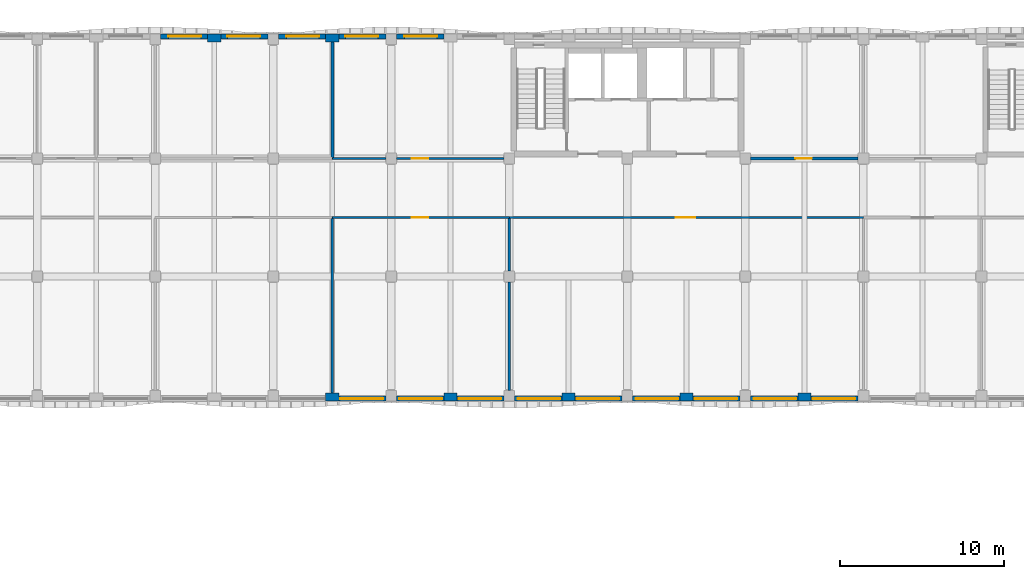
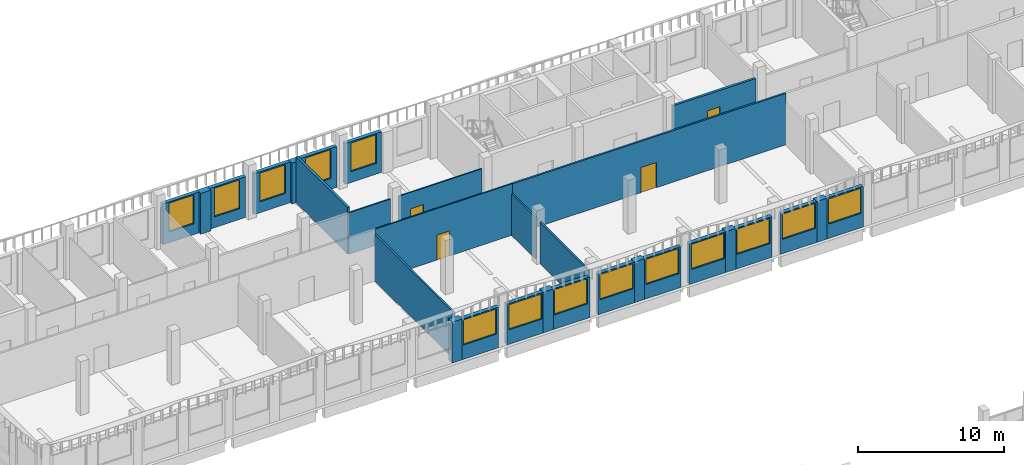
# One storey, part 28 of 58: 30 walls, 14 windows, 4 doors, 18 openings.
"""IFC4 building model written with IfcOpenShell, lengths in metres."""

from ifc_helpers import new_model, si_unit, direction, frame, frame_2d, origin, place, context, subcontext, project, spatial, rectangle, extrude, material, layer, layer_set, type_object, element, fill, save


model = new_model("IFC4")

# Units and contexts
model_context = context("Model", 3, precision=1e-05, world=origin(), true_north=direction((0.0, 1.0)))
body_context = subcontext(model_context, "Body", "Model", "MODEL_VIEW")
ifc_project = project(units=[si_unit("LENGTHUNIT", "METRE"), si_unit("AREAUNIT", "SQUARE_METRE"), si_unit("VOLUMEUNIT", "CUBIC_METRE"), si_unit("PLANEANGLEUNIT", "RADIAN"), si_unit("MASSUNIT", "GRAM", prefix="KILO")], contexts=[model_context])

# Site, building, storey
site_placement = place(None, origin())
site = spatial("IfcSite", under=ifc_project, at=site_placement, CompositionType="ELEMENT")
building_placement = place(site_placement, origin())
building = spatial("IfcBuilding", under=site, at=building_placement, Name="Ussher Court Research Institute", CompositionType="ELEMENT")
storey_placement = place(building_placement, frame((0.0, 0.0, 9.89990234375)))
storey = spatial("IfcBuildingStorey", under=building, at=storey_placement, Name="L02", CompositionType="ELEMENT", Elevation=9.89990234375)

# Wall, opening, door
ifc_material_1 = material(Name="Plasterboard on steel studs with mineral wool", Category="steel")
ifc_layer_1 = layer(ifc_material_1, 0.179931640625)
ifc_layer_set_1 = layer_set([ifc_layer_1], Name="Plasterboard on steel studs with mineral wool")
wall_type_1 = type_object("IfcWallType", Name="Acoustic twin-stud partition 180", PredefinedType="PARTITIONING", material=ifc_layer_set_1)
wall_1_placement = place(storey_placement, frame((60.925048828125, 83.199951171875, 0.0), z_axis=(0.0, 0.0, 1.0), x_axis=(1.0, 0.0, 0.0)))
wall_1 = element("IfcWall", 1, at=wall_1_placement, inside=storey, type_object=wall_type_1, Name="Partition", PredefinedType="PARTITIONING", context=body_context, shape_type="SweptSolid", body=[
    extrude(rectangle(XDim=6.550048828125, YDim=0.179931640625, at=frame_2d((3.27490234375, 0.0))), origin(), (0.0, 0.0, 1.0), 3.47021484375),
])
opening_1_placement = place(wall_1_placement, frame((2.72509765625, 0.0, 0.0)))
opening_1 = element("IfcOpeningElement", 2, at=opening_1_placement, cuts=wall_1, Name="Opening D02030", PredefinedType="OPENING", context=body_context, shape_type="SweptSolid", body=[
    extrude(rectangle(XDim=1.0, YDim=2.10009765625, at=frame_2d((0.5, 1.050048828125))), frame((0.0, 0.10009765625, 0.0), z_axis=(0.0, -1.0, 0.0), x_axis=(1.0, 0.0, 0.0)), (0.0, 0.0, 1.0), 0.199951171875),
])
ifc_material_2 = material(Name="Veneered timber door", Category="wood")
door_type_1 = type_object("IfcDoorType", Name="Meeting room door 1000x2100", OperationType="NOTDEFINED", PredefinedType="DOOR", material=ifc_material_2)
door_1_placement = place(opening_1_placement, origin())
door_1 = element("IfcDoor", 3, at=door_1_placement, inside=storey, type_object=door_type_1, Name="Door D02030", OperationType="SINGLE_SWING_LEFT", OverallHeight=2.10009765625, OverallWidth=1.0, PredefinedType="DOOR", context=body_context, shape_type="SweptSolid", body=[
    extrude(rectangle(XDim=1.0, YDim=2.10009765625, at=frame_2d((0.5, 1.050048828125))), frame((0.0, 0.02490234375, 0.0), z_axis=(0.0, -1.0, 0.0), x_axis=(1.0, 0.0, 0.0)), (0.0, 0.0, 1.0), 0.050048828125),
])
fill(opening_1, door_1)

# Wall
wall_2_placement = place(storey_placement, frame((35.39990234375, 83.25, 0.0), z_axis=(0.0, 0.0, 1.0), x_axis=(0.0, 1.0, 0.0)))
element("IfcWall", 4, at=wall_2_placement, inside=storey, type_object=wall_type_1, Name="Partition", PredefinedType="PARTITIONING", context=body_context, shape_type="SweptSolid", body=[
    extrude(rectangle(XDim=7.050048828125, YDim=0.179931640625, at=frame_2d((3.52490234375, 0.0))), origin(), (0.0, 0.0, 1.0), 3.8701171875),
])

# Wall, opening, window
ifc_material_3 = material(Name="Blockwork with cream render", Category="masonry")
ifc_layer_2 = layer(ifc_material_3, 0.300048828125)
ifc_layer_set_2 = layer_set([ifc_layer_2], Name="Blockwork with cream render")
wall_type_2 = type_object("IfcWallType", Name="External wall 300 cream render", PredefinedType="SOLIDWALL", material=ifc_layer_set_2)
wall_3_placement = place(storey_placement, frame((24.925048828125, 90.64990234375, 0.0), z_axis=(0.0, 0.0, 1.0), x_axis=(1.0, 0.0, 0.0)))
wall_3 = element("IfcWall", 5, at=wall_3_placement, inside=storey, type_object=wall_type_2, Name="External wall EW1 L02", PredefinedType="SOLIDWALL", context=body_context, shape_type="SweptSolid", body=[
    extrude(rectangle(XDim=2.875, YDim=0.300048828125, at=frame_2d((1.4375, 0.0))), origin(), (0.0, 0.0, 1.0), 3.400146484375),
])
opening_2_placement = place(wall_3_placement, frame((0.47509765625, 0.0, 0.89990234375)))
opening_2 = element("IfcOpeningElement", 6, at=opening_2_placement, cuts=wall_3, Name="Opening W14", PredefinedType="OPENING", context=body_context, shape_type="SweptSolid", body=[
    extrude(rectangle(XDim=2.0, YDim=2.39990234375, at=frame_2d((1.0, 1.199951171875))), frame((0.0, 0.16015625, 0.0), z_axis=(0.0, -1.0, 0.0), x_axis=(1.0, 0.0, 0.0)), (0.0, 0.0, 1.0), 0.320068359375),
])
ifc_material_4 = material(Name="Bronze anodised aluminium with double glazing", Category="aluminium")
window_type_1 = type_object("IfcWindowType", Name="Seminar and write-up office window 2000x2400", PartitioningType="DOUBLE_PANEL_VERTICAL", PredefinedType="WINDOW", material=ifc_material_4)
window_1_placement = place(opening_2_placement, origin())
window_1 = element("IfcWindow", 7, at=window_1_placement, inside=storey, type_object=window_type_1, Name="Window W14 L02", OverallHeight=2.39990234375, OverallWidth=2.0, PartitioningType="SINGLE_PANEL", PredefinedType="WINDOW", context=body_context, shape_type="SweptSolid", body=[
    extrude(rectangle(XDim=2.0, YDim=2.39990234375, at=frame_2d((1.0, 1.199951171875))), frame((0.0, 0.030029296875, 0.0), z_axis=(0.0, -1.0, 0.0), x_axis=(1.0, 0.0, 0.0)), (0.0, 0.0, 1.0), 0.06005859375),
])
fill(opening_2, window_1)

wall_4_placement = place(storey_placement, frame((28.60009765625, 90.64990234375, 0.0), z_axis=(0.0, 0.0, 1.0), x_axis=(1.0, 0.0, 0.0)))
wall_4 = element("IfcWall", 8, at=wall_4_placement, inside=storey, type_object=wall_type_2, Name="External wall EW1 L02", PredefinedType="SOLIDWALL", context=body_context, shape_type="SweptSolid", body=[
    extrude(rectangle(XDim=2.875, YDim=0.300048828125, at=frame_2d((1.4375, 0.0))), origin(), (0.0, 0.0, 1.0), 3.400146484375),
])
opening_3_placement = place(wall_4_placement, frame((0.39990234375, 0.0, 0.89990234375)))
opening_3 = element("IfcOpeningElement", 9, at=opening_3_placement, cuts=wall_4, Name="Opening W14", PredefinedType="OPENING", context=body_context, shape_type="SweptSolid", body=[
    extrude(rectangle(XDim=2.0, YDim=2.39990234375, at=frame_2d((1.0, 1.199951171875))), frame((0.0, 0.16015625, 0.0), z_axis=(0.0, -1.0, 0.0), x_axis=(1.0, 0.0, 0.0)), (0.0, 0.0, 1.0), 0.320068359375),
])
window_2_placement = place(opening_3_placement, origin())
window_2 = element("IfcWindow", 10, at=window_2_placement, inside=storey, type_object=window_type_1, Name="Window W14 L02", OverallHeight=2.39990234375, OverallWidth=2.0, PartitioningType="SINGLE_PANEL", PredefinedType="WINDOW", context=body_context, shape_type="SweptSolid", body=[
    extrude(rectangle(XDim=2.0, YDim=2.39990234375, at=frame_2d((1.0, 1.199951171875))), frame((0.0, 0.030029296875, 0.0), z_axis=(0.0, -1.0, 0.0), x_axis=(1.0, 0.0, 0.0)), (0.0, 0.0, 1.0), 0.06005859375),
])
fill(opening_3, window_2)

wall_5_placement = place(storey_placement, frame((32.125, 90.64990234375, 0.0), z_axis=(0.0, 0.0, 1.0), x_axis=(1.0, 0.0, 0.0)))
wall_5 = element("IfcWall", 11, at=wall_5_placement, inside=storey, type_object=wall_type_2, Name="External wall EW1 L02", PredefinedType="SOLIDWALL", context=body_context, shape_type="SweptSolid", body=[
    extrude(rectangle(XDim=2.875, YDim=0.300048828125, at=frame_2d((1.4375, 0.0))), origin(), (0.0, 0.0, 1.0), 3.400146484375),
])
opening_4_placement = place(wall_5_placement, frame((0.47509765625, 0.0, 0.89990234375)))
opening_4 = element("IfcOpeningElement", 12, at=opening_4_placement, cuts=wall_5, Name="Opening W14", PredefinedType="OPENING", context=body_context, shape_type="SweptSolid", body=[
    extrude(rectangle(XDim=2.0, YDim=2.39990234375, at=frame_2d((1.0, 1.199951171875))), frame((0.0, 0.16015625, 0.0), z_axis=(0.0, -1.0, 0.0), x_axis=(1.0, 0.0, 0.0)), (0.0, 0.0, 1.0), 0.320068359375),
])
window_3_placement = place(opening_4_placement, origin())
window_3 = element("IfcWindow", 13, at=window_3_placement, inside=storey, type_object=window_type_1, Name="Window W14 L02", OverallHeight=2.39990234375, OverallWidth=2.0, PartitioningType="SINGLE_PANEL", PredefinedType="WINDOW", context=body_context, shape_type="SweptSolid", body=[
    extrude(rectangle(XDim=2.0, YDim=2.39990234375, at=frame_2d((1.0, 1.199951171875))), frame((0.0, 0.030029296875, 0.0), z_axis=(0.0, -1.0, 0.0), x_axis=(1.0, 0.0, 0.0)), (0.0, 0.0, 1.0), 0.06005859375),
])
fill(opening_4, window_3)

wall_6_placement = place(storey_placement, frame((35.800048828125, 90.64990234375, 0.0), z_axis=(0.0, 0.0, 1.0), x_axis=(1.0, 0.0, 0.0)))
wall_6 = element("IfcWall", 14, at=wall_6_placement, inside=storey, type_object=wall_type_2, Name="External wall EW1 L02", PredefinedType="SOLIDWALL", context=body_context, shape_type="SweptSolid", body=[
    extrude(rectangle(XDim=2.875, YDim=0.300048828125, at=frame_2d((1.4375, 0.0))), origin(), (0.0, 0.0, 1.0), 3.400146484375),
])
opening_5_placement = place(wall_6_placement, frame((0.39990234375, 0.0, 0.89990234375)))
opening_5 = element("IfcOpeningElement", 15, at=opening_5_placement, cuts=wall_6, Name="Opening W14", PredefinedType="OPENING", context=body_context, shape_type="SweptSolid", body=[
    extrude(rectangle(XDim=2.0, YDim=2.39990234375, at=frame_2d((1.0, 1.199951171875))), frame((0.0, 0.16015625, 0.0), z_axis=(0.0, -1.0, 0.0), x_axis=(1.0, 0.0, 0.0)), (0.0, 0.0, 1.0), 0.320068359375),
])
window_4_placement = place(opening_5_placement, origin())
window_4 = element("IfcWindow", 16, at=window_4_placement, inside=storey, type_object=window_type_1, Name="Window W14 L02", OverallHeight=2.39990234375, OverallWidth=2.0, PartitioningType="SINGLE_PANEL", PredefinedType="WINDOW", context=body_context, shape_type="SweptSolid", body=[
    extrude(rectangle(XDim=2.0, YDim=2.39990234375, at=frame_2d((1.0, 1.199951171875))), frame((0.0, 0.030029296875, 0.0), z_axis=(0.0, -1.0, 0.0), x_axis=(1.0, 0.0, 0.0)), (0.0, 0.0, 1.0), 0.06005859375),
])
fill(opening_5, window_4)

wall_7_placement = place(storey_placement, frame((39.324951171875, 90.64990234375, 0.0), z_axis=(0.0, 0.0, 1.0), x_axis=(1.0, 0.0, 0.0)))
wall_7 = element("IfcWall", 17, at=wall_7_placement, inside=storey, type_object=wall_type_2, Name="External wall EW1 L02", PredefinedType="SOLIDWALL", context=body_context, shape_type="SweptSolid", body=[
    extrude(rectangle(XDim=2.875, YDim=0.300048828125, at=frame_2d((1.4375, 0.0))), origin(), (0.0, 0.0, 1.0), 3.400146484375),
])
opening_6_placement = place(wall_7_placement, frame((0.47509765625, 0.0, 0.89990234375)))
opening_6 = element("IfcOpeningElement", 18, at=opening_6_placement, cuts=wall_7, Name="Opening W14", PredefinedType="OPENING", context=body_context, shape_type="SweptSolid", body=[
    extrude(rectangle(XDim=2.0, YDim=2.39990234375, at=frame_2d((1.0, 1.199951171875))), frame((0.0, 0.16015625, 0.0), z_axis=(0.0, -1.0, 0.0), x_axis=(1.0, 0.0, 0.0)), (0.0, 0.0, 1.0), 0.320068359375),
])
window_5_placement = place(opening_6_placement, origin())
window_5 = element("IfcWindow", 19, at=window_5_placement, inside=storey, type_object=window_type_1, Name="Window W14 L02", OverallHeight=2.39990234375, OverallWidth=2.0, PartitioningType="SINGLE_PANEL", PredefinedType="WINDOW", context=body_context, shape_type="SweptSolid", body=[
    extrude(rectangle(XDim=2.0, YDim=2.39990234375, at=frame_2d((1.0, 1.199951171875))), frame((0.0, 0.030029296875, 0.0), z_axis=(0.0, -1.0, 0.0), x_axis=(1.0, 0.0, 0.0)), (0.0, 0.0, 1.0), 0.06005859375),
])
fill(opening_6, window_5)

wall_8_placement = place(storey_placement, frame((67.47509765625, 68.550048828125, 0.0), z_axis=(0.0, 0.0, 1.0), x_axis=(-1.0, 0.0, 0.0)))
wall_8 = element("IfcWall", 20, at=wall_8_placement, inside=storey, type_object=wall_type_2, Name="External wall EW1 L02", PredefinedType="SOLIDWALL", context=body_context, shape_type="SweptSolid", body=[
    extrude(rectangle(XDim=2.875, YDim=0.300048828125, at=frame_2d((1.4375, 0.0))), origin(), (0.0, 0.0, 1.0), 3.400146484375),
])
opening_7_placement = place(wall_8_placement, frame((0.175048828125, 0.0, 1.199951171875)))
opening_7 = element("IfcOpeningElement", 21, at=opening_7_placement, cuts=wall_8, Name="Opening W08", PredefinedType="OPENING", context=body_context, shape_type="SweptSolid", body=[
    extrude(rectangle(XDim=2.60009765625, YDim=2.10009765625, at=frame_2d((1.300048828125, 1.050048828125))), frame((0.0, 0.16015625, 0.0), z_axis=(0.0, -1.0, 0.0), x_axis=(1.0, 0.0, 0.0)), (0.0, 0.0, 1.0), 0.320068359375),
])
ifc_material_5 = material(Name="Bronze anodised aluminium with double glazing", Category="aluminium")
window_type_2 = type_object("IfcWindowType", Name="Dry laboratory bay window 2600x2100", PartitioningType="DOUBLE_PANEL_VERTICAL", PredefinedType="WINDOW", material=ifc_material_5)
window_6_placement = place(opening_7_placement, origin())
window_6 = element("IfcWindow", 22, at=window_6_placement, inside=storey, type_object=window_type_2, Name="Window W08 L02", OverallHeight=2.10009765625, OverallWidth=2.60009765625, PartitioningType="SINGLE_PANEL", PredefinedType="WINDOW", context=body_context, shape_type="SweptSolid", body=[
    extrude(rectangle(XDim=2.60009765625, YDim=2.10009765625, at=frame_2d((1.300048828125, 1.050048828125))), frame((0.0, 0.030029296875, 0.0), z_axis=(0.0, -1.0, 0.0), x_axis=(1.0, 0.0, 0.0)), (0.0, 0.0, 1.0), 0.06005859375),
])
fill(opening_7, window_6)

wall_9_placement = place(storey_placement, frame((63.800048828125, 68.550048828125, 0.0), z_axis=(0.0, 0.0, 1.0), x_axis=(-1.0, 0.0, 0.0)))
wall_9 = element("IfcWall", 23, at=wall_9_placement, inside=storey, type_object=wall_type_2, Name="External wall EW1 L02", PredefinedType="SOLIDWALL", context=body_context, shape_type="SweptSolid", body=[
    extrude(rectangle(XDim=2.875, YDim=0.300048828125, at=frame_2d((1.4375, 0.0))), origin(), (0.0, 0.0, 1.0), 3.400146484375),
])
opening_8_placement = place(wall_9_placement, frame((0.10009765625, 0.0, 1.199951171875)))
opening_8 = element("IfcOpeningElement", 24, at=opening_8_placement, cuts=wall_9, Name="Opening W08", PredefinedType="OPENING", context=body_context, shape_type="SweptSolid", body=[
    extrude(rectangle(XDim=2.60009765625, YDim=2.10009765625, at=frame_2d((1.300048828125, 1.050048828125))), frame((0.0, 0.16015625, 0.0), z_axis=(0.0, -1.0, 0.0), x_axis=(1.0, 0.0, 0.0)), (0.0, 0.0, 1.0), 0.320068359375),
])
window_7_placement = place(opening_8_placement, origin())
window_7 = element("IfcWindow", 25, at=window_7_placement, inside=storey, type_object=window_type_2, Name="Window W08 L02", OverallHeight=2.10009765625, OverallWidth=2.60009765625, PartitioningType="SINGLE_PANEL", PredefinedType="WINDOW", context=body_context, shape_type="SweptSolid", body=[
    extrude(rectangle(XDim=2.60009765625, YDim=2.10009765625, at=frame_2d((1.300048828125, 1.050048828125))), frame((0.0, 0.030029296875, 0.0), z_axis=(0.0, -1.0, 0.0), x_axis=(1.0, 0.0, 0.0)), (0.0, 0.0, 1.0), 0.06005859375),
])
fill(opening_8, window_7)

wall_10_placement = place(storey_placement, frame((60.27490234375, 68.550048828125, 0.0), z_axis=(0.0, 0.0, 1.0), x_axis=(-1.0, 0.0, 0.0)))
wall_10 = element("IfcWall", 26, at=wall_10_placement, inside=storey, type_object=wall_type_2, Name="External wall EW1 L02", PredefinedType="SOLIDWALL", context=body_context, shape_type="SweptSolid", body=[
    extrude(rectangle(XDim=2.875, YDim=0.300048828125, at=frame_2d((1.4375, 0.0))), origin(), (0.0, 0.0, 1.0), 3.400146484375),
])
opening_9_placement = place(wall_10_placement, frame((0.175048828125, 0.0, 1.199951171875)))
opening_9 = element("IfcOpeningElement", 27, at=opening_9_placement, cuts=wall_10, Name="Opening W08", PredefinedType="OPENING", context=body_context, shape_type="SweptSolid", body=[
    extrude(rectangle(XDim=2.60009765625, YDim=2.10009765625, at=frame_2d((1.300048828125, 1.050048828125))), frame((0.0, 0.16015625, 0.0), z_axis=(0.0, -1.0, 0.0), x_axis=(1.0, 0.0, 0.0)), (0.0, 0.0, 1.0), 0.320068359375),
])
window_8_placement = place(opening_9_placement, origin())
window_8 = element("IfcWindow", 28, at=window_8_placement, inside=storey, type_object=window_type_2, Name="Window W08 L02", OverallHeight=2.10009765625, OverallWidth=2.60009765625, PartitioningType="SINGLE_PANEL", PredefinedType="WINDOW", context=body_context, shape_type="SweptSolid", body=[
    extrude(rectangle(XDim=2.60009765625, YDim=2.10009765625, at=frame_2d((1.300048828125, 1.050048828125))), frame((0.0, 0.030029296875, 0.0), z_axis=(0.0, -1.0, 0.0), x_axis=(1.0, 0.0, 0.0)), (0.0, 0.0, 1.0), 0.06005859375),
])
fill(opening_9, window_8)

wall_11_placement = place(storey_placement, frame((56.60009765625, 68.550048828125, 0.0), z_axis=(0.0, 0.0, 1.0), x_axis=(-1.0, 0.0, 0.0)))
wall_11 = element("IfcWall", 29, at=wall_11_placement, inside=storey, type_object=wall_type_2, Name="External wall EW1 L02", PredefinedType="SOLIDWALL", context=body_context, shape_type="SweptSolid", body=[
    extrude(rectangle(XDim=2.875, YDim=0.300048828125, at=frame_2d((1.4375, 0.0))), origin(), (0.0, 0.0, 1.0), 3.400146484375),
])
opening_10_placement = place(wall_11_placement, frame((0.10009765625, 0.0, 1.199951171875)))
opening_10 = element("IfcOpeningElement", 30, at=opening_10_placement, cuts=wall_11, Name="Opening W08", PredefinedType="OPENING", context=body_context, shape_type="SweptSolid", body=[
    extrude(rectangle(XDim=2.60009765625, YDim=2.10009765625, at=frame_2d((1.300048828125, 1.050048828125))), frame((0.0, 0.16015625, 0.0), z_axis=(0.0, -1.0, 0.0), x_axis=(1.0, 0.0, 0.0)), (0.0, 0.0, 1.0), 0.320068359375),
])
window_9_placement = place(opening_10_placement, origin())
window_9 = element("IfcWindow", 31, at=window_9_placement, inside=storey, type_object=window_type_2, Name="Window W08 L02", OverallHeight=2.10009765625, OverallWidth=2.60009765625, PartitioningType="SINGLE_PANEL", PredefinedType="WINDOW", context=body_context, shape_type="SweptSolid", body=[
    extrude(rectangle(XDim=2.60009765625, YDim=2.10009765625, at=frame_2d((1.300048828125, 1.050048828125))), frame((0.0, 0.030029296875, 0.0), z_axis=(0.0, -1.0, 0.0), x_axis=(1.0, 0.0, 0.0)), (0.0, 0.0, 1.0), 0.06005859375),
])
fill(opening_10, window_9)

wall_12_placement = place(storey_placement, frame((53.074951171875, 68.550048828125, 0.0), z_axis=(0.0, 0.0, 1.0), x_axis=(-1.0, 0.0, 0.0)))
wall_12 = element("IfcWall", 32, at=wall_12_placement, inside=storey, type_object=wall_type_2, Name="External wall EW1 L02", PredefinedType="SOLIDWALL", context=body_context, shape_type="SweptSolid", body=[
    extrude(rectangle(XDim=2.875, YDim=0.300048828125, at=frame_2d((1.4375, 0.0))), origin(), (0.0, 0.0, 1.0), 3.400146484375),
])
opening_11_placement = place(wall_12_placement, frame((0.175048828125, 0.0, 1.199951171875)))
opening_11 = element("IfcOpeningElement", 33, at=opening_11_placement, cuts=wall_12, Name="Opening W08", PredefinedType="OPENING", context=body_context, shape_type="SweptSolid", body=[
    extrude(rectangle(XDim=2.60009765625, YDim=2.10009765625, at=frame_2d((1.300048828125, 1.050048828125))), frame((0.0, 0.16015625, 0.0), z_axis=(0.0, -1.0, 0.0), x_axis=(1.0, 0.0, 0.0)), (0.0, 0.0, 1.0), 0.320068359375),
])
window_10_placement = place(opening_11_placement, origin())
window_10 = element("IfcWindow", 34, at=window_10_placement, inside=storey, type_object=window_type_2, Name="Window W08 L02", OverallHeight=2.10009765625, OverallWidth=2.60009765625, PartitioningType="SINGLE_PANEL", PredefinedType="WINDOW", context=body_context, shape_type="SweptSolid", body=[
    extrude(rectangle(XDim=2.60009765625, YDim=2.10009765625, at=frame_2d((1.300048828125, 1.050048828125))), frame((0.0, 0.030029296875, 0.0), z_axis=(0.0, -1.0, 0.0), x_axis=(1.0, 0.0, 0.0)), (0.0, 0.0, 1.0), 0.06005859375),
])
fill(opening_11, window_10)

wall_13_placement = place(storey_placement, frame((49.39990234375, 68.550048828125, 0.0), z_axis=(0.0, 0.0, 1.0), x_axis=(-1.0, 0.0, 0.0)))
wall_13 = element("IfcWall", 35, at=wall_13_placement, inside=storey, type_object=wall_type_2, Name="External wall EW1 L02", PredefinedType="SOLIDWALL", context=body_context, shape_type="SweptSolid", body=[
    extrude(rectangle(XDim=2.875, YDim=0.300048828125, at=frame_2d((1.4375, 0.0))), origin(), (0.0, 0.0, 1.0), 3.400146484375),
])
opening_12_placement = place(wall_13_placement, frame((0.10009765625, 0.0, 1.199951171875)))
opening_12 = element("IfcOpeningElement", 36, at=opening_12_placement, cuts=wall_13, Name="Opening W08", PredefinedType="OPENING", context=body_context, shape_type="SweptSolid", body=[
    extrude(rectangle(XDim=2.60009765625, YDim=2.10009765625, at=frame_2d((1.300048828125, 1.050048828125))), frame((0.0, 0.16015625, 0.0), z_axis=(0.0, -1.0, 0.0), x_axis=(1.0, 0.0, 0.0)), (0.0, 0.0, 1.0), 0.320068359375),
])
window_11_placement = place(opening_12_placement, origin())
window_11 = element("IfcWindow", 37, at=window_11_placement, inside=storey, type_object=window_type_2, Name="Window W08 L02", OverallHeight=2.10009765625, OverallWidth=2.60009765625, PartitioningType="SINGLE_PANEL", PredefinedType="WINDOW", context=body_context, shape_type="SweptSolid", body=[
    extrude(rectangle(XDim=2.60009765625, YDim=2.10009765625, at=frame_2d((1.300048828125, 1.050048828125))), frame((0.0, 0.030029296875, 0.0), z_axis=(0.0, -1.0, 0.0), x_axis=(1.0, 0.0, 0.0)), (0.0, 0.0, 1.0), 0.06005859375),
])
fill(opening_12, window_11)

wall_14_placement = place(storey_placement, frame((45.875, 68.550048828125, 0.0), z_axis=(0.0, 0.0, 1.0), x_axis=(-1.0, 0.0, 0.0)))
wall_14 = element("IfcWall", 38, at=wall_14_placement, inside=storey, type_object=wall_type_2, Name="External wall EW1 L02", PredefinedType="SOLIDWALL", context=body_context, shape_type="SweptSolid", body=[
    extrude(rectangle(XDim=2.875, YDim=0.300048828125, at=frame_2d((1.4375, 0.0))), origin(), (0.0, 0.0, 1.0), 3.400146484375),
])
opening_13_placement = place(wall_14_placement, frame((0.175048828125, 0.0, 1.199951171875)))
opening_13 = element("IfcOpeningElement", 39, at=opening_13_placement, cuts=wall_14, Name="Opening W08", PredefinedType="OPENING", context=body_context, shape_type="SweptSolid", body=[
    extrude(rectangle(XDim=2.60009765625, YDim=2.10009765625, at=frame_2d((1.300048828125, 1.050048828125))), frame((0.0, 0.16015625, 0.0), z_axis=(0.0, -1.0, 0.0), x_axis=(1.0, 0.0, 0.0)), (0.0, 0.0, 1.0), 0.320068359375),
])
window_12_placement = place(opening_13_placement, origin())
window_12 = element("IfcWindow", 40, at=window_12_placement, inside=storey, type_object=window_type_2, Name="Window W08 L02", OverallHeight=2.10009765625, OverallWidth=2.60009765625, PartitioningType="SINGLE_PANEL", PredefinedType="WINDOW", context=body_context, shape_type="SweptSolid", body=[
    extrude(rectangle(XDim=2.60009765625, YDim=2.10009765625, at=frame_2d((1.300048828125, 1.050048828125))), frame((0.0, 0.030029296875, 0.0), z_axis=(0.0, -1.0, 0.0), x_axis=(1.0, 0.0, 0.0)), (0.0, 0.0, 1.0), 0.06005859375),
])
fill(opening_13, window_12)

wall_15_placement = place(storey_placement, frame((42.199951171875, 68.550048828125, 0.0), z_axis=(0.0, 0.0, 1.0), x_axis=(-1.0, 0.0, 0.0)))
wall_15 = element("IfcWall", 41, at=wall_15_placement, inside=storey, type_object=wall_type_2, Name="External wall EW1 L02", PredefinedType="SOLIDWALL", context=body_context, shape_type="SweptSolid", body=[
    extrude(rectangle(XDim=2.875, YDim=0.300048828125, at=frame_2d((1.4375, 0.0))), origin(), (0.0, 0.0, 1.0), 3.400146484375),
])
opening_14_placement = place(wall_15_placement, frame((0.10009765625, 0.0, 1.199951171875)))
opening_14 = element("IfcOpeningElement", 42, at=opening_14_placement, cuts=wall_15, Name="Opening W08", PredefinedType="OPENING", context=body_context, shape_type="SweptSolid", body=[
    extrude(rectangle(XDim=2.60009765625, YDim=2.10009765625, at=frame_2d((1.300048828125, 1.050048828125))), frame((0.0, 0.16015625, 0.0), z_axis=(0.0, -1.0, 0.0), x_axis=(1.0, 0.0, 0.0)), (0.0, 0.0, 1.0), 0.320068359375),
])
window_13_placement = place(opening_14_placement, origin())
window_13 = element("IfcWindow", 43, at=window_13_placement, inside=storey, type_object=window_type_2, Name="Window W08 L02", OverallHeight=2.10009765625, OverallWidth=2.60009765625, PartitioningType="SINGLE_PANEL", PredefinedType="WINDOW", context=body_context, shape_type="SweptSolid", body=[
    extrude(rectangle(XDim=2.60009765625, YDim=2.10009765625, at=frame_2d((1.300048828125, 1.050048828125))), frame((0.0, 0.030029296875, 0.0), z_axis=(0.0, -1.0, 0.0), x_axis=(1.0, 0.0, 0.0)), (0.0, 0.0, 1.0), 0.06005859375),
])
fill(opening_14, window_13)

wall_16_placement = place(storey_placement, frame((38.675048828125, 68.550048828125, 0.0), z_axis=(0.0, 0.0, 1.0), x_axis=(-1.0, 0.0, 0.0)))
wall_16 = element("IfcWall", 44, at=wall_16_placement, inside=storey, type_object=wall_type_2, Name="External wall EW1 L02", PredefinedType="SOLIDWALL", context=body_context, shape_type="SweptSolid", body=[
    extrude(rectangle(XDim=2.875, YDim=0.300048828125, at=frame_2d((1.4375, 0.0))), origin(), (0.0, 0.0, 1.0), 3.400146484375),
])
opening_15_placement = place(wall_16_placement, frame((0.175048828125, 0.0, 1.199951171875)))
opening_15 = element("IfcOpeningElement", 45, at=opening_15_placement, cuts=wall_16, Name="Opening W08", PredefinedType="OPENING", context=body_context, shape_type="SweptSolid", body=[
    extrude(rectangle(XDim=2.60009765625, YDim=2.10009765625, at=frame_2d((1.300048828125, 1.050048828125))), frame((0.0, 0.16015625, 0.0), z_axis=(0.0, -1.0, 0.0), x_axis=(1.0, 0.0, 0.0)), (0.0, 0.0, 1.0), 0.320068359375),
])
window_14_placement = place(opening_15_placement, origin())
window_14 = element("IfcWindow", 46, at=window_14_placement, inside=storey, type_object=window_type_2, Name="Window W08 L02", OverallHeight=2.10009765625, OverallWidth=2.60009765625, PartitioningType="SINGLE_PANEL", PredefinedType="WINDOW", context=body_context, shape_type="SweptSolid", body=[
    extrude(rectangle(XDim=2.60009765625, YDim=2.10009765625, at=frame_2d((1.300048828125, 1.050048828125))), frame((0.0, 0.030029296875, 0.0), z_axis=(0.0, -1.0, 0.0), x_axis=(1.0, 0.0, 0.0)), (0.0, 0.0, 1.0), 0.06005859375),
])
fill(opening_15, window_14)

# Wall, opening, door
ifc_material_6 = material(Name="Plastered blockwork", Category="masonry")
ifc_layer_3 = layer(ifc_material_6, 0.139892578125)
ifc_layer_set_3 = layer_set([ifc_layer_3], Name="Plastered blockwork")
wall_type_3 = type_object("IfcWallType", Name="Laboratory blockwork partition 140", PredefinedType="PARTITIONING", material=ifc_layer_set_3)
wall_17_placement = place(storey_placement, frame((67.800048828125, 79.60009765625, 0.0), z_axis=(0.0, 0.0, 1.0), x_axis=(-1.0, 0.0, 0.0)))
wall_17 = element("IfcWall", 47, at=wall_17_placement, inside=storey, type_object=wall_type_3, Name="Partition", PredefinedType="PARTITIONING", context=body_context, shape_type="SweptSolid", body=[
    extrude(rectangle(XDim=21.60009765625, YDim=0.139892578125, at=frame_2d((10.800048828125, 0.0))), origin(), (0.0, 0.0, 1.0), 4.300048828125),
])
opening_16_placement = place(wall_17_placement, frame((10.25, 0.0, 0.0)))
opening_16 = element("IfcOpeningElement", 48, at=opening_16_placement, cuts=wall_17, Name="Opening D02024", PredefinedType="OPENING", context=body_context, shape_type="SweptSolid", body=[
    extrude(rectangle(XDim=1.199951171875, YDim=2.10009765625, at=frame_2d((0.60009765625, 1.050048828125))), frame((0.0, 0.080078125, 0.0), z_axis=(0.0, -1.0, 0.0), x_axis=(1.0, 0.0, 0.0)), (0.0, 0.0, 1.0), 0.159912109375),
])
ifc_material_7 = material(Name="Veneered timber door", Category="wood")
door_type_2 = type_object("IfcDoorType", Name="Laboratory door 1200x2100", OperationType="NOTDEFINED", PredefinedType="DOOR", material=ifc_material_7)
door_2_placement = place(opening_16_placement, origin())
door_2 = element("IfcDoor", 49, at=door_2_placement, inside=storey, type_object=door_type_2, Name="Door D02024", OperationType="SINGLE_SWING_RIGHT", OverallHeight=2.10009765625, OverallWidth=1.199951171875, PredefinedType="DOOR", context=body_context, shape_type="SweptSolid", body=[
    extrude(rectangle(XDim=1.199951171875, YDim=2.10009765625, at=frame_2d((0.60009765625, 1.050048828125))), frame((0.0, 0.02490234375, 0.0), z_axis=(0.0, -1.0, 0.0), x_axis=(1.0, 0.0, 0.0)), (0.0, 0.0, 1.0), 0.050048828125),
])
fill(opening_16, door_2)

# Walls
wall_18_placement = place(storey_placement, frame((35.39990234375, 68.89990234375, 0.0), z_axis=(0.0, 0.0, 1.0), x_axis=(0.0, 1.0, 0.0)))
element("IfcWall", 50, at=wall_18_placement, inside=storey, type_object=wall_type_3, Name="Partition", PredefinedType="PARTITIONING", context=body_context, shape_type="SweptSolid", body=[
    extrude(rectangle(XDim=10.650146484375, YDim=0.139892578125, at=frame_2d((5.3251953125, 0.0))), origin(), (0.0, 0.0, 1.0), 3.8701171875),
])
wall_19_placement = place(storey_placement, frame((46.199951171875, 69.050048828125, 0.0), z_axis=(0.0, 0.0, 1.0), x_axis=(0.0, 1.0, 0.0)))
element("IfcWall", 51, at=wall_19_placement, inside=storey, type_object=wall_type_3, Name="Partition", PredefinedType="PARTITIONING", context=body_context, shape_type="SweptSolid", body=[
    extrude(rectangle(XDim=6.625, YDim=0.139892578125, at=frame_2d((3.3125, 0.0))), origin(), (0.0, 0.0, 1.0), 3.47021484375),
])
wall_20_placement = place(storey_placement, frame((46.199951171875, 76.324951171875, 0.0), z_axis=(0.0, 0.0, 1.0), x_axis=(0.0, 1.0, 0.0)))
element("IfcWall", 52, at=wall_20_placement, inside=storey, type_object=wall_type_3, Name="Partition", PredefinedType="PARTITIONING", context=body_context, shape_type="SweptSolid", body=[
    extrude(rectangle(XDim=3.22509765625, YDim=0.139892578125, at=frame_2d((1.612548828125, 0.0))), origin(), (0.0, 0.0, 1.0), 3.47021484375),
])

# Wall, opening, door
ifc_material_8 = material(Name="Plastered blockwork", Category="masonry")
ifc_layer_4 = layer(ifc_material_8, 0.10009765625)
ifc_layer_set_4 = layer_set([ifc_layer_4], Name="Plastered blockwork")
wall_type_4 = type_object("IfcWallType", Name="Partition plastered blockwork 100", PredefinedType="PARTITIONING", material=ifc_layer_set_4)
wall_21_placement = place(storey_placement, frame((46.199951171875, 79.60009765625, 0.0), z_axis=(0.0, 0.0, 1.0), x_axis=(-1.0, 0.0, 0.0)))
wall_21 = element("IfcWall", 53, at=wall_21_placement, inside=storey, type_object=wall_type_4, Name="Partition", PredefinedType="PARTITIONING", context=body_context, shape_type="SweptSolid", body=[
    extrude(rectangle(XDim=10.800048828125, YDim=0.10009765625, at=frame_2d((5.39990234375, 0.0))), origin(), (0.0, 0.0, 1.0), 4.300048828125),
])
opening_17_placement = place(wall_21_placement, frame((4.949951171875, 0.0, 0.0)))
opening_17 = element("IfcOpeningElement", 54, at=opening_17_placement, cuts=wall_21, Name="Opening D02019", PredefinedType="OPENING", context=body_context, shape_type="SweptSolid", body=[
    extrude(rectangle(XDim=1.0, YDim=2.10009765625, at=frame_2d((0.5, 1.050048828125))), frame((0.0, 0.06005859375, 0.0), z_axis=(0.0, -1.0, 0.0), x_axis=(1.0, 0.0, 0.0)), (0.0, 0.0, 1.0), 0.1201171875),
])
ifc_material_9 = material(Name="Veneered timber door", Category="wood")
door_type_3 = type_object("IfcDoorType", Name="Office door 1000x2100", OperationType="NOTDEFINED", PredefinedType="DOOR", material=ifc_material_9)
door_3_placement = place(opening_17_placement, origin())
door_3 = element("IfcDoor", 55, at=door_3_placement, inside=storey, type_object=door_type_3, Name="Door D02019", OperationType="SINGLE_SWING_RIGHT", OverallHeight=2.10009765625, OverallWidth=1.0, PredefinedType="DOOR", context=body_context, shape_type="SweptSolid", body=[
    extrude(rectangle(XDim=1.0, YDim=2.10009765625, at=frame_2d((0.5, 1.050048828125))), frame((0.0, 0.02490234375, 0.0), z_axis=(0.0, -1.0, 0.0), x_axis=(1.0, 0.0, 0.0)), (0.0, 0.0, 1.0), 0.050048828125),
])
fill(opening_17, door_3)

# Wall
wall_22_placement = place(storey_placement, frame((35.39990234375, 83.199951171875, 0.0), z_axis=(0.0, 0.0, 1.0), x_axis=(1.0, 0.0, 0.0)))
element("IfcWall", 56, at=wall_22_placement, inside=storey, type_object=wall_type_4, Name="Partition", PredefinedType="PARTITIONING", context=body_context, shape_type="SweptSolid", body=[
    extrude(rectangle(XDim=3.275146484375, YDim=0.10009765625, at=frame_2d((1.6376953125, 0.0))), origin(), (0.0, 0.0, 1.0), 3.47021484375),
])

# Wall, opening, door
wall_23_placement = place(storey_placement, frame((39.324951171875, 83.199951171875, 0.0), z_axis=(0.0, 0.0, 1.0), x_axis=(1.0, 0.0, 0.0)))
wall_23 = element("IfcWall", 57, at=wall_23_placement, inside=storey, type_object=wall_type_4, Name="Partition", PredefinedType="PARTITIONING", context=body_context, shape_type="SweptSolid", body=[
    extrude(rectangle(XDim=6.550048828125, YDim=0.10009765625, at=frame_2d((3.27490234375, 0.0))), origin(), (0.0, 0.0, 1.0), 3.47021484375),
])
opening_18_placement = place(wall_23_placement, frame((0.925048828125, 0.0, 0.0)))
opening_18 = element("IfcOpeningElement", 58, at=opening_18_placement, cuts=wall_23, Name="Opening D02020", PredefinedType="OPENING", context=body_context, shape_type="SweptSolid", body=[
    extrude(rectangle(XDim=1.0, YDim=2.10009765625, at=frame_2d((0.5, 1.050048828125))), frame((0.0, 0.06005859375, 0.0), z_axis=(0.0, -1.0, 0.0), x_axis=(1.0, 0.0, 0.0)), (0.0, 0.0, 1.0), 0.1201171875),
])
door_4_placement = place(opening_18_placement, origin())
door_4 = element("IfcDoor", 59, at=door_4_placement, inside=storey, type_object=door_type_3, Name="Door D02020", OperationType="SINGLE_SWING_LEFT", OverallHeight=2.10009765625, OverallWidth=1.0, PredefinedType="DOOR", context=body_context, shape_type="SweptSolid", body=[
    extrude(rectangle(XDim=1.0, YDim=2.10009765625, at=frame_2d((0.5, 1.050048828125))), frame((0.0, 0.02490234375, 0.0), z_axis=(0.0, -1.0, 0.0), x_axis=(1.0, 0.0, 0.0)), (0.0, 0.0, 1.0), 0.050048828125),
])
fill(opening_18, door_4)

# Walls
ifc_material_10 = material(Name="Blockwork with cream render", Category="masonry")
ifc_layer_5 = layer(ifc_material_10, 0.5)
ifc_layer_set_5 = layer_set([ifc_layer_5], Name="Blockwork with cream render")
wall_type_5 = type_object("IfcWallType", Name="Pier 800x500 cream render", PredefinedType="SOLIDWALL", material=ifc_layer_set_5)
for number, where, z_axis, x_axis, name in (
    (60, (27.800048828125, 90.550048828125, 0.0), (0.0, 0.0, 1.0), (1.0, 0.0, 0.0), "Pier PR1 L02"),
    (61, (35.0, 90.550048828125, 0.0), (0.0, 0.0, 1.0), (1.0, 0.0, 0.0), "Pier PR1 L02"),
    (62, (64.60009765625, 68.64990234375, 0.0), (0.0, 0.0, 1.0), (-1.0, 0.0, 0.0), "Pier PR1 L02"),
):
    element("IfcWall", number, at=place(storey_placement, frame(where, z_axis=z_axis, x_axis=x_axis)), inside=storey, type_object=wall_type_5, Name=name, PredefinedType="SOLIDWALL", context=body_context, shape_type="SweptSolid", body=[
        extrude(rectangle(XDim=0.800048828125, YDim=0.5, at=frame_2d((0.39990234375, 0.0))), origin(), (0.0, 0.0, 1.0), 3.400146484375),
    ])
wall_24_placement = place(storey_placement, frame((57.39990234375, 68.64990234375, 0.0), z_axis=(0.0, 0.0, 1.0), x_axis=(-1.0, 0.0, 0.0)))
element("IfcWall", 63, at=wall_24_placement, inside=storey, type_object=wall_type_5, Name="Pier PR1 L02", PredefinedType="SOLIDWALL", context=body_context, shape_type="SweptSolid", body=[
    extrude(rectangle(XDim=0.7998046875, YDim=0.5, at=frame_2d((0.39990234375, 0.0))), origin(), (0.0, 0.0, 1.0), 3.400146484375),
])
for number, where, z_axis, x_axis, name in (
    (64, (50.199951171875, 68.64990234375, 0.0), (0.0, 0.0, 1.0), (-1.0, 0.0, 0.0), "Pier PR1 L02"),
    (65, (43.0, 68.64990234375, 0.0), (0.0, 0.0, 1.0), (-1.0, 0.0, 0.0), "Pier PR1 L02"),
    (66, (35.800048828125, 68.64990234375, 0.0), (0.0, 0.0, 1.0), (-1.0, 0.0, 0.0), "Pier PR1 L02"),
):
    element("IfcWall", number, at=place(storey_placement, frame(where, z_axis=z_axis, x_axis=x_axis)), inside=storey, type_object=wall_type_5, Name=name, PredefinedType="SOLIDWALL", context=body_context, shape_type="SweptSolid", body=[
        extrude(rectangle(XDim=0.800048828125, YDim=0.5, at=frame_2d((0.39990234375, 0.0))), origin(), (0.0, 0.0, 1.0), 3.400146484375),
    ])

save(model, "model.ifc")
